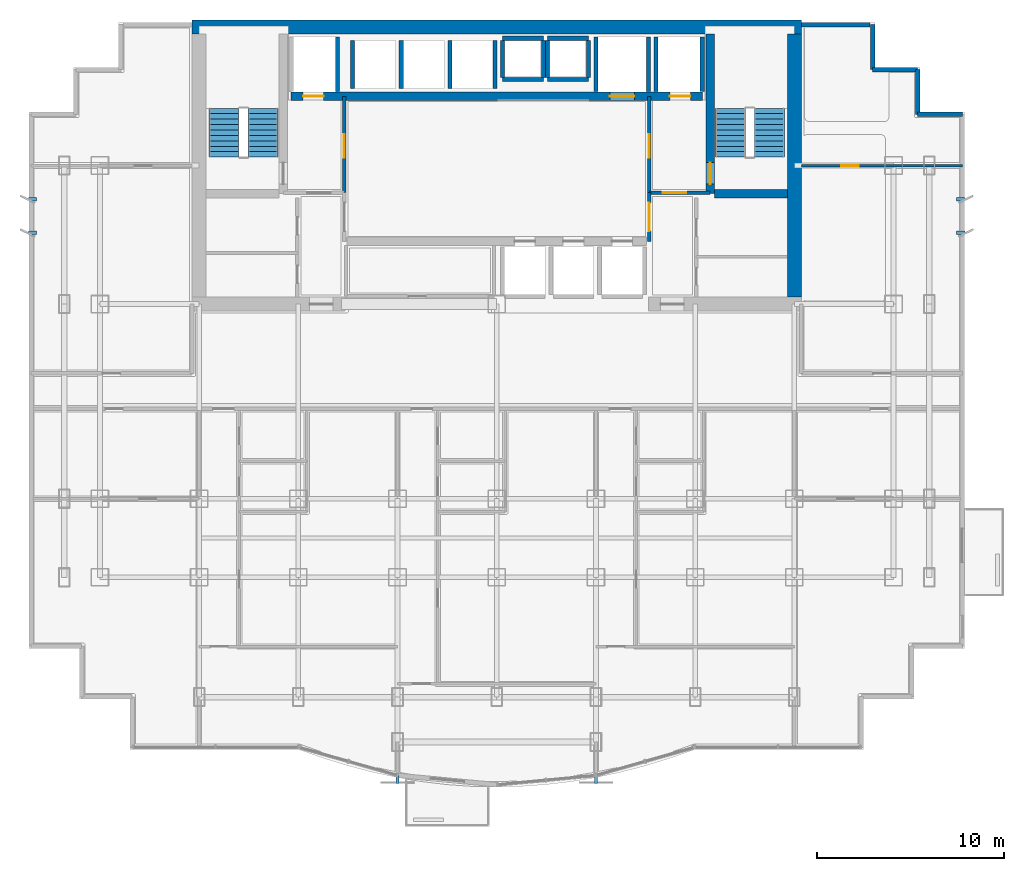
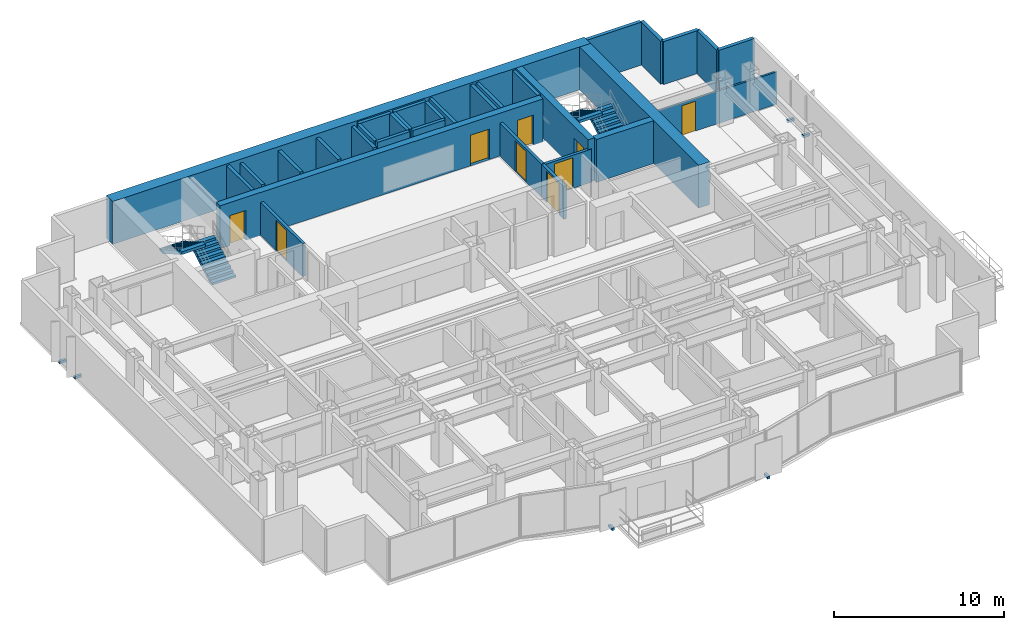
# One storey, part 7 of 9: 32 walls, 9 doors, 6 discrete accessories, 4 stair flights, 9 openings, 2 elements without a shape of their own.
"""IFC4 building model written with IfcOpenShell, lengths in metres."""

from ifc_helpers import new_model, si_unit, direction, frame, frame_2d, origin, origin_2d, place, context, subcontext, project, spatial, polyline, rectangle, outline, extrude, source, transform, mapped, material, layer, layer_set, type_object, element, fill, aggregate, save


model = new_model("IFC4")

# Units and contexts
model_context = context("Model", 3, precision=1e-05, world=origin(), true_north=direction((0.0, 1.0)))
body_context = subcontext(model_context, "Body", "Model", "MODEL_VIEW")
ifc_project = project(units=[si_unit("LENGTHUNIT", "METRE"), si_unit("AREAUNIT", "SQUARE_METRE"), si_unit("VOLUMEUNIT", "CUBIC_METRE"), si_unit("PLANEANGLEUNIT", "RADIAN"), si_unit("MASSUNIT", "GRAM", prefix="KILO")], contexts=[model_context])

# Site, building, storey
site_placement = place(None, origin())
site = spatial("IfcSite", under=ifc_project, at=site_placement, CompositionType="ELEMENT")
building_placement = place(site_placement, origin())
building = spatial("IfcBuilding", under=site, at=building_placement, Name="Qianlan Lanfeng Residences", CompositionType="ELEMENT")
storey_placement = place(building_placement, frame((0.0, 0.0, 111.39990234375)))
storey = spatial("IfcBuildingStorey", under=building, at=storey_placement, Name="L30", CompositionType="ELEMENT", Elevation=111.39990234375)

# Wall, opening, door
ifc_material_1 = material(Name="Concrete C60", Category="concrete")
ifc_layer_1 = layer(ifc_material_1, 0.449951171875)
ifc_layer_set_1 = layer_set([ifc_layer_1], Name="Concrete C60")
wall_type_1 = type_object("IfcWallType", Name="CW-RC-450", PredefinedType="SHEAR", material=ifc_layer_set_1)
wall_1_placement = place(storey_placement, frame((37.89990234375, 31.10009765625, 0.0), z_axis=(0.0, 0.0, 1.0), x_axis=(0.0, 1.0, 0.0)))
wall_1 = element("IfcWall", 1, at=wall_1_placement, inside=storey, type_object=wall_type_1, Name="L30 Core Shear Wall ST2W", PredefinedType="SHEAR", context=body_context, shape_type="SweptSolid", body=[
    extrude(rectangle(XDim=8.52490234375, YDim=0.449951171875, at=frame_2d((4.262451171875, 0.0))), origin(), (0.0, 0.0, 1.0), 3.090087890625),
])
opening_1_placement = place(wall_1_placement, frame((0.510009765625, 0.0, 0.0)))
opening_1 = element("IfcOpeningElement", 2, at=opening_1_placement, cuts=wall_1, Name="Opening L30-D08", PredefinedType="OPENING", context=body_context, shape_type="SweptSolid", body=[
    extrude(rectangle(XDim=1.14990234375, YDim=2.199951171875, at=frame_2d((0.574951171875, 1.10009765625))), frame((0.0, 0.23486328125, 0.0), z_axis=(0.0, -1.0, 0.0), x_axis=(1.0, 0.0, 0.0)), (0.0, 0.0, 1.0), 0.469970703125),
])
ifc_material_2 = material(Name="Painted Galvanised Steel Fire Door", Category="steel")
door_type_1 = type_object("IfcDoorType", Name="DT-ST1", OperationType="NOTDEFINED", PredefinedType="DOOR", material=ifc_material_2)
door_1_placement = place(opening_1_placement, origin())
door_1 = element("IfcDoor", 3, at=door_1_placement, inside=storey, type_object=door_type_1, Name="L30 Exit Stair ST-2 Door L30-D08 (DT-ST1)", OperationType="SINGLE_SWING_RIGHT", OverallHeight=2.199951171875, OverallWidth=1.14990234375, PredefinedType="DOOR", context=body_context, shape_type="SweptSolid", body=[
    extrude(rectangle(XDim=1.14990234375, YDim=2.199951171875, at=frame_2d((0.574951171875, 1.10009765625))), frame((0.0, 0.02490234375, 0.0), z_axis=(0.0, -1.0, 0.0), x_axis=(1.0, 0.0, 0.0)), (0.0, 0.0, 1.0), 0.050048828125),
])
fill(opening_1, door_1)

# Wall
wall_2_placement = place(storey_placement, frame((38.125, 31.10009765625, 0.0), z_axis=(0.0, 0.0, 1.0), x_axis=(1.0, 0.0, 0.0)))
element("IfcWall", 4, at=wall_2_placement, inside=storey, type_object=wall_type_1, Name="L30 Core Shear Wall ST2S", PredefinedType="SHEAR", context=body_context, shape_type="SweptSolid", body=[
    extrude(rectangle(XDim=3.89990234375, YDim=0.449951171875, at=frame_2d((1.949951171875, 0.0))), origin(), (0.0, 0.0, 1.0), 3.090087890625),
])

# Wall, openings, doors
wall_3_placement = place(storey_placement, frame((15.5, 36.300048828125, 0.0), z_axis=(0.0, 0.0, 1.0), x_axis=(1.0, 0.0, 0.0)))
wall_3 = element("IfcWall", 5, at=wall_3_placement, inside=storey, type_object=wall_type_1, Name="L30 Core Shear Wall LBN", PredefinedType="SHEAR", context=body_context, shape_type="SweptSolid", body=[
    extrude(rectangle(XDim=22.0, YDim=0.449951171875, at=frame_2d((11.0, 0.0))), origin(), (0.0, 0.0, 1.0), 3.090087890625),
])
opening_2_placement = place(wall_3_placement, frame((0.64990234375, 0.0, 0.0)))
opening_2 = element("IfcOpeningElement", 6, at=opening_2_placement, cuts=wall_3, Name="Opening L30-LD-FFL-1", PredefinedType="OPENING", context=body_context, shape_type="SweptSolid", body=[
    extrude(rectangle(XDim=1.10009765625, YDim=2.14990234375, at=frame_2d((0.550048828125, 1.074951171875))), frame((0.0, 0.23486328125, 0.0), z_axis=(0.0, -1.0, 0.0), x_axis=(1.0, 0.0, 0.0)), (0.0, 0.0, 1.0), 0.469970703125),
])
opening_3_placement = place(wall_3_placement, frame((20.25, 0.0, 0.0)))
opening_3 = element("IfcOpeningElement", 7, at=opening_3_placement, cuts=wall_3, Name="Opening L30-LD-FFL-2", PredefinedType="OPENING", context=body_context, shape_type="SweptSolid", body=[
    extrude(rectangle(XDim=1.10009765625, YDim=2.14990234375, at=frame_2d((0.550048828125, 1.074951171875))), frame((0.0, 0.23486328125, 0.0), z_axis=(0.0, -1.0, 0.0), x_axis=(1.0, 0.0, 0.0)), (0.0, 0.0, 1.0), 0.469970703125),
])
opening_4_placement = place(wall_3_placement, frame((17.050048828125, 0.0, 0.0)))
opening_4 = element("IfcOpeningElement", 8, at=opening_4_placement, cuts=wall_3, Name="Opening L30-LD-SVL-1", PredefinedType="OPENING", context=body_context, shape_type="SweptSolid", body=[
    extrude(rectangle(XDim=1.300048828125, YDim=2.199951171875, at=frame_2d((0.64990234375, 1.10009765625))), frame((0.0, 0.23486328125, 0.0), z_axis=(0.0, -1.0, 0.0), x_axis=(1.0, 0.0, 0.0)), (0.0, 0.0, 1.0), 0.469970703125),
])
ifc_material_3 = material(Name="Brushed Stainless Steel Sliding Lift Door", Category="steel")
door_type_2 = type_object("IfcDoorType", Name="LD-01", OperationType="NOTDEFINED", PredefinedType="DOOR", material=ifc_material_3)
door_2_placement = place(opening_2_placement, frame((1.10009765625, 0.0, 0.0), z_axis=(0.0, 0.0, 1.0), x_axis=(-1.0, 0.0, 0.0)))
door_2 = element("IfcDoor", 9, at=door_2_placement, inside=storey, type_object=door_type_2, Name="L30 Elevator FFL-1 Sliding Landing Door", OperationType="DOUBLE_DOOR_SLIDING", OverallHeight=2.14990234375, OverallWidth=1.10009765625, PredefinedType="DOOR", context=body_context, shape_type="SweptSolid", body=[
    extrude(rectangle(XDim=1.10009765625, YDim=2.14990234375, at=frame_2d((0.550048828125, 1.074951171875))), frame((0.0, 0.02490234375, 0.0), z_axis=(0.0, -1.0, 0.0), x_axis=(1.0, 0.0, 0.0)), (0.0, 0.0, 1.0), 0.050048828125),
])
fill(opening_2, door_2)
door_3_placement = place(opening_3_placement, frame((1.10009765625, 0.0, 0.0), z_axis=(0.0, 0.0, 1.0), x_axis=(-1.0, 0.0, 0.0)))
door_3 = element("IfcDoor", 10, at=door_3_placement, inside=storey, type_object=door_type_2, Name="L30 Elevator FFL-2 Sliding Landing Door", OperationType="DOUBLE_DOOR_SLIDING", OverallHeight=2.14990234375, OverallWidth=1.10009765625, PredefinedType="DOOR", context=body_context, shape_type="SweptSolid", body=[
    extrude(rectangle(XDim=1.10009765625, YDim=2.14990234375, at=frame_2d((0.550048828125, 1.074951171875))), frame((0.0, 0.02490234375, 0.0), z_axis=(0.0, -1.0, 0.0), x_axis=(1.0, 0.0, 0.0)), (0.0, 0.0, 1.0), 0.050048828125),
])
fill(opening_3, door_3)
door_type_3 = type_object("IfcDoorType", Name="LD-02", OperationType="NOTDEFINED", PredefinedType="DOOR", material=ifc_material_3)
door_4_placement = place(opening_4_placement, frame((1.300048828125, 0.0, 0.0), z_axis=(0.0, 0.0, 1.0), x_axis=(-1.0, 0.0, 0.0)))
door_4 = element("IfcDoor", 11, at=door_4_placement, inside=storey, type_object=door_type_3, Name="L30 Elevator SVL-1 Sliding Landing Door", OperationType="DOUBLE_DOOR_SLIDING", OverallHeight=2.199951171875, OverallWidth=1.300048828125, PredefinedType="DOOR", context=body_context, shape_type="SweptSolid", body=[
    extrude(rectangle(XDim=1.300048828125, YDim=2.199951171875, at=frame_2d((0.64990234375, 1.10009765625))), frame((0.0, 0.02490234375, 0.0), z_axis=(0.0, -1.0, 0.0), x_axis=(1.0, 0.0, 0.0)), (0.0, 0.0, 1.0), 0.050048828125),
])
fill(opening_4, door_4)

# Walls
ifc_layer_2 = layer(ifc_material_1, 0.75)
ifc_layer_set_2 = layer_set([ifc_layer_2], Name="Concrete C60")
wall_type_2 = type_object("IfcWallType", Name="CW-RC-750", PredefinedType="SHEAR", material=ifc_layer_set_2)
wall_4_placement = place(storey_placement, frame((10.22509765625, 40.0, 0.0), z_axis=(0.0, 0.0, 1.0), x_axis=(1.0, 0.0, 0.0)))
element("IfcWall", 12, at=wall_4_placement, inside=storey, type_object=wall_type_2, Name="L30 Core Shear Wall N", PredefinedType="SHEAR", context=body_context, shape_type="SweptSolid", body=[
    extrude(rectangle(XDim=32.5498046875, YDim=0.75, at=frame_2d((16.27490234375, 0.0))), origin(), (0.0, 0.0, 1.0), 3.090087890625),
])
wall_5_placement = place(storey_placement, frame((42.39990234375, 25.574951171875, 0.0), z_axis=(0.0, 0.0, 1.0), x_axis=(0.0, 1.0, 0.0)))
element("IfcWall", 13, at=wall_5_placement, inside=storey, type_object=wall_type_2, Name="L30 Core Shear Wall E", PredefinedType="SHEAR", context=body_context, shape_type="SweptSolid", body=[
    extrude(rectangle(XDim=14.050048828125, YDim=0.75, at=frame_2d((7.02490234375, 0.0))), origin(), (0.0, 0.0, 1.0), 3.090087890625),
])
ifc_material_4 = material(Name="Concrete C42", Category="concrete")
ifc_layer_3 = layer(ifc_material_4, 0.239990234375)
ifc_layer_set_3 = layer_set([ifc_layer_3], Name="Concrete C42")
wall_type_3 = type_object("IfcWallType", Name="EW-240", PredefinedType="SOLIDWALL", material=ifc_layer_set_3)
for number, where, z_axis, x_axis, name in (
    (14, (51.3798828125, 35.330078125, 0.0), (0.0, 0.0, 1.0), (-1.0, 0.0, 0.0), "L30 Exterior Facade Spandrel Wall 11"),
    (15, (48.97998046875, 35.330078125, 0.0), (0.0, 0.0, 1.0), (0.0, 1.0, 0.0), "L30 Exterior Facade Spandrel Wall 12"),
    (16, (48.97998046875, 37.72998046875, 0.0), (0.0, 0.0, 1.0), (-1.0, 0.0, 0.0), "L30 Exterior Facade Spandrel Wall 13"),
    (17, (46.580078125, 37.72998046875, 0.0), (0.0, 0.0, 1.0), (0.0, 1.0, 0.0), "L30 Exterior Facade Spandrel Wall 14"),
):
    element("IfcWall", number, at=place(storey_placement, frame(where, z_axis=z_axis, x_axis=x_axis)), inside=storey, type_object=wall_type_3, Name=name, PredefinedType="SOLIDWALL", context=body_context, shape_type="SweptSolid", body=[
        extrude(rectangle(XDim=2.39990234375, YDim=0.239990234375, at=frame_2d((1.199951171875, 0.0))), origin(), (0.0, 0.0, 1.0), 3.090087890625),
    ])
wall_6_placement = place(storey_placement, frame((46.449951171875, 40.1298828125, 0.0), z_axis=(0.0, 0.0, 1.0), x_axis=(-1.0, 0.0, 0.0)))
element("IfcWall", 18, at=wall_6_placement, inside=storey, type_object=wall_type_3, Name="L30 North Wing Exterior Wall E", PredefinedType="SOLIDWALL", context=body_context, shape_type="SweptSolid", body=[
    extrude(rectangle(XDim=3.675048828125, YDim=0.239990234375, at=frame_2d((1.83740234375, 0.0))), origin(), (0.0, 0.0, 1.0), 3.090087890625),
])

# Wall, opening, door
ifc_material_5 = material(Name="Moisture-Resistant Gypsum Partition 135 mm")
ifc_layer_4 = layer(ifc_material_5, 0.135009765625)
ifc_layer_set_4 = layer_set([ifc_layer_4], Name="Moisture-Resistant Gypsum Partition 135 mm")
wall_type_4 = type_object("IfcWallType", Name="PW-135", PredefinedType="PARTITIONING", material=ifc_layer_set_4)
wall_7_placement = place(storey_placement, frame((42.77490234375, 32.60009765625, 0.0), z_axis=(0.0, 0.0, 1.0), x_axis=(1.0, 0.0, 0.0)))
wall_7 = element("IfcWall", 19, at=wall_7_placement, inside=storey, type_object=wall_type_4, Name="L30 EW North Wing Wall", PredefinedType="PARTITIONING", context=body_context, shape_type="SweptSolid", body=[
    extrude(rectangle(XDim=8.60498046875, YDim=0.135009765625, at=frame_2d((4.302490234375, 0.0))), origin(), (0.0, 0.0, 1.0), 2.335205078125),
])
opening_5_placement = place(wall_7_placement, frame((2.14306640625, 0.0, 0.0)))
opening_5 = element("IfcOpeningElement", 20, at=opening_5_placement, cuts=wall_7, Name="Opening L30-D37", PredefinedType="OPENING", context=body_context, shape_type="SweptSolid", body=[
    extrude(rectangle(XDim=0.919921875, YDim=2.14990234375, at=frame_2d((0.4599609375, 1.074951171875))), frame((0.0, 0.07763671875, 0.0), z_axis=(0.0, -1.0, 0.0), x_axis=(1.0, 0.0, 0.0)), (0.0, 0.0, 1.0), 0.155029296875),
])
ifc_material_6 = material(Name="Glazed Timber Kitchen/Study Door", Category="wood")
door_type_4 = type_object("IfcDoorType", Name="DT-INT", OperationType="NOTDEFINED", PredefinedType="DOOR", material=ifc_material_6)
door_5_placement = place(opening_5_placement, origin())
door_5 = element("IfcDoor", 21, at=door_5_placement, inside=storey, type_object=door_type_4, Name="L30 EW Inner Salon Door L30-D37 (DT-INT)", OperationType="SINGLE_SWING_RIGHT", OverallHeight=2.14990234375, OverallWidth=0.919921875, PredefinedType="DOOR", context=body_context, shape_type="SweptSolid", body=[
    extrude(rectangle(XDim=0.919921875, YDim=2.14990234375, at=frame_2d((0.4599609375, 1.074951171875))), frame((0.0, 0.02490234375, 0.0), z_axis=(0.0, -1.0, 0.0), x_axis=(1.0, 0.0, 0.0)), (0.0, 0.0, 1.0), 0.050048828125),
])
fill(opening_5, door_5)

ifc_material_7 = material(Name="Autoclaved Aerated Concrete Blockwork 200 mm", Category="masonry")
ifc_layer_5 = layer(ifc_material_7, 0.199951171875)
ifc_layer_set_5 = layer_set([ifc_layer_5], Name="Autoclaved Aerated Concrete Blockwork 200 mm")
wall_type_5 = type_object("IfcWallType", Name="PW-200", PredefinedType="PARTITIONING", material=ifc_layer_set_5)
wall_8_placement = place(storey_placement, frame((18.35009765625, 31.14990234375, 0.0), z_axis=(0.0, 0.0, 1.0), x_axis=(0.0, 1.0, 0.0)))
wall_8 = element("IfcWall", 22, at=wall_8_placement, inside=storey, type_object=wall_type_5, Name="L30 Firefighting Lobby 1 East Wall", PredefinedType="PARTITIONING", context=body_context, shape_type="SweptSolid", body=[
    extrude(rectangle(XDim=5.150146484375, YDim=0.199951171875, at=frame_2d((2.5751953125, 0.0))), origin(), (0.0, 0.0, 1.0), 2.380126953125),
])
opening_6_placement = place(wall_8_placement, frame((1.875, 0.0, 0.0)))
opening_6 = element("IfcOpeningElement", 23, at=opening_6_placement, cuts=wall_8, Name="Opening L30-D04", PredefinedType="OPENING", context=body_context, shape_type="SweptSolid", body=[
    extrude(rectangle(XDim=1.25, YDim=2.199951171875, at=frame_2d((0.625, 1.10009765625))), frame((0.0, 0.10986328125, 0.0), z_axis=(0.0, -1.0, 0.0), x_axis=(1.0, 0.0, 0.0)), (0.0, 0.0, 1.0), 0.219970703125),
])
door_type_5 = type_object("IfcDoorType", Name="DT-FFL", OperationType="NOTDEFINED", PredefinedType="DOOR", material=ifc_material_2)
door_6_placement = place(opening_6_placement, origin())
door_6 = element("IfcDoor", 24, at=door_6_placement, inside=storey, type_object=door_type_5, Name="L30 Firefighting Lobby 1 Lift Lobby Door L30-D04 (DT-FFL)", OperationType="SINGLE_SWING_LEFT", OverallHeight=2.199951171875, OverallWidth=1.25, PredefinedType="DOOR", context=body_context, shape_type="SweptSolid", body=[
    extrude(rectangle(XDim=1.25, YDim=2.199951171875, at=frame_2d((0.625, 1.10009765625))), frame((0.0, 0.02490234375, 0.0), z_axis=(0.0, -1.0, 0.0), x_axis=(1.0, 0.0, 0.0)), (0.0, 0.0, 1.0), 0.050048828125),
])
fill(opening_6, door_6)

wall_9_placement = place(storey_placement, frame((34.64990234375, 31.14990234375, 0.0), z_axis=(0.0, 0.0, 1.0), x_axis=(1.0, 0.0, 0.0)))
wall_9 = element("IfcWall", 25, at=wall_9_placement, inside=storey, type_object=wall_type_5, Name="L30 Firefighting Lobby 2 South Wall", PredefinedType="PARTITIONING", context=body_context, shape_type="SweptSolid", body=[
    extrude(rectangle(XDim=3.25, YDim=0.199951171875, at=frame_2d((1.625, 0.0))), origin(), (0.0, 0.0, 1.0), 2.380126953125),
])
opening_7_placement = place(wall_9_placement, frame((0.72509765625, 0.0, 0.0)))
opening_7 = element("IfcOpeningElement", 26, at=opening_7_placement, cuts=wall_9, Name="Opening L30-D05", PredefinedType="OPENING", context=body_context, shape_type="SweptSolid", body=[
    extrude(rectangle(XDim=1.25, YDim=2.199951171875, at=frame_2d((0.625, 1.10009765625))), frame((0.0, 0.10986328125, 0.0), z_axis=(0.0, -1.0, 0.0), x_axis=(1.0, 0.0, 0.0)), (0.0, 0.0, 1.0), 0.219970703125),
])
door_7_placement = place(opening_7_placement, origin())
door_7 = element("IfcDoor", 27, at=door_7_placement, inside=storey, type_object=door_type_5, Name="L30 Firefighting Lobby 2 Entry Door L30-D05 (DT-FFL)", OperationType="SINGLE_SWING_RIGHT", OverallHeight=2.199951171875, OverallWidth=1.25, PredefinedType="DOOR", context=body_context, shape_type="SweptSolid", body=[
    extrude(rectangle(XDim=1.25, YDim=2.199951171875, at=frame_2d((0.625, 1.10009765625))), frame((0.0, 0.02490234375, 0.0), z_axis=(0.0, -1.0, 0.0), x_axis=(1.0, 0.0, 0.0)), (0.0, 0.0, 1.0), 0.050048828125),
])
fill(opening_7, door_7)

wall_10_placement = place(storey_placement, frame((34.64990234375, 31.14990234375, 0.0), z_axis=(0.0, 0.0, 1.0), x_axis=(0.0, 1.0, 0.0)))
wall_10 = element("IfcWall", 28, at=wall_10_placement, inside=storey, type_object=wall_type_5, Name="L30 Firefighting Lobby 2 West Wall", PredefinedType="PARTITIONING", context=body_context, shape_type="SweptSolid", body=[
    extrude(rectangle(XDim=5.150146484375, YDim=0.199951171875, at=frame_2d((2.5751953125, 0.0))), origin(), (0.0, 0.0, 1.0), 2.380126953125),
])
opening_8_placement = place(wall_10_placement, frame((1.875, 0.0, 0.0)))
opening_8 = element("IfcOpeningElement", 29, at=opening_8_placement, cuts=wall_10, Name="Opening L30-D06", PredefinedType="OPENING", context=body_context, shape_type="SweptSolid", body=[
    extrude(rectangle(XDim=1.25, YDim=2.199951171875, at=frame_2d((0.625, 1.10009765625))), frame((0.0, 0.10986328125, 0.0), z_axis=(0.0, -1.0, 0.0), x_axis=(1.0, 0.0, 0.0)), (0.0, 0.0, 1.0), 0.219970703125),
])
door_8_placement = place(opening_8_placement, origin())
door_8 = element("IfcDoor", 30, at=door_8_placement, inside=storey, type_object=door_type_5, Name="L30 Firefighting Lobby 2 Lift Lobby Door L30-D06 (DT-FFL)", OperationType="SINGLE_SWING_LEFT", OverallHeight=2.199951171875, OverallWidth=1.25, PredefinedType="DOOR", context=body_context, shape_type="SweptSolid", body=[
    extrude(rectangle(XDim=1.25, YDim=2.199951171875, at=frame_2d((0.625, 1.10009765625))), frame((0.0, 0.02490234375, 0.0), z_axis=(0.0, -1.0, 0.0), x_axis=(1.0, 0.0, 0.0)), (0.0, 0.0, 1.0), 0.050048828125),
])
fill(opening_8, door_8)

wall_11_placement = place(storey_placement, frame((34.64990234375, 28.550048828125, 0.0), z_axis=(0.0, 0.0, 1.0), x_axis=(0.0, 1.0, 0.0)))
wall_11 = element("IfcWall", 31, at=wall_11_placement, inside=storey, type_object=wall_type_5, Name="L30 Lift Lobby East Connector Wall", PredefinedType="PARTITIONING", context=body_context, shape_type="SweptSolid", body=[
    extrude(rectangle(XDim=2.599853515625, YDim=0.199951171875, at=frame_2d((1.2998046875, 0.0))), origin(), (0.0, 0.0, 1.0), 2.380126953125),
])
opening_9_placement = place(wall_11_placement, frame((0.550048828125, 0.0, 0.0)))
opening_9 = element("IfcOpeningElement", 32, at=opening_9_placement, cuts=wall_11, Name="Opening L30-D14", PredefinedType="OPENING", context=body_context, shape_type="SweptSolid", body=[
    extrude(rectangle(XDim=1.5, YDim=2.25, at=frame_2d((0.75, 1.125))), frame((0.0, 0.10986328125, 0.0), z_axis=(0.0, -1.0, 0.0), x_axis=(1.0, 0.0, 0.0)), (0.0, 0.0, 1.0), 0.219970703125),
])
ifc_material_8 = material(Name="Timber Veneer Acoustic Fire Door", Category="wood")
door_type_6 = type_object("IfcDoorType", Name="DT-COR1", OperationType="NOTDEFINED", PredefinedType="DOOR", material=ifc_material_8)
door_9_placement = place(opening_9_placement, frame((1.5, 0.0, 0.0), z_axis=(0.0, 0.0, 1.0), x_axis=(-1.0, 0.0, 0.0)))
door_9 = element("IfcDoor", 33, at=door_9_placement, inside=storey, type_object=door_type_6, Name="L30 Lift Lobby East Portal Door L30-D14 (DT-COR1)", OperationType="DOUBLE_DOOR_SINGLE_SWING", OverallHeight=2.25, OverallWidth=1.5, PredefinedType="DOOR", context=body_context, shape_type="SweptSolid", body=[
    extrude(rectangle(XDim=1.5, YDim=2.25, at=frame_2d((0.75, 1.125))), frame((0.0, 0.02490234375, 0.0), z_axis=(0.0, -1.0, 0.0), x_axis=(1.0, 0.0, 0.0)), (0.0, 0.0, 1.0), 0.050048828125),
])
fill(opening_9, door_9)

# Walls
ifc_material_9 = material(Name="Concrete C49", Category="concrete")
ifc_layer_6 = layer(ifc_material_9, 0.219970703125)
ifc_layer_set_6 = layer_set([ifc_layer_6], Name="Concrete C49")
wall_type_6 = type_object("IfcWallType", Name="SHW-220", PredefinedType="SOLIDWALL", material=ifc_layer_set_6)
for number, where, z_axis, x_axis, name in (
    (34, (18.0, 36.550048828125, 0.0), (0.0, 0.0, 1.0), (0.0, 1.0, 0.0), "L30 Lift FFL-1 Shaft Wall E"),
    (35, (35.0, 36.550048828125, 0.0), (0.0, 0.0, 1.0), (0.0, 1.0, 0.0), "L30 Lift FFL-2 Shaft Wall W"),
    (36, (37.47998046875, 36.550048828125, 0.0), (0.0, 0.0, 1.0), (0.0, 1.0, 0.0), "L30 Lift FFL-2 Shaft Wall E"),
    (37, (31.800048828125, 36.550048828125, 0.0), (0.0, 0.0, 1.0), (0.0, 1.0, 0.0), "L30 Lift SVL-1 Shaft Wall W"),
    (38, (34.60009765625, 36.550048828125, 0.0), (0.0, 0.0, 1.0), (0.0, 1.0, 0.0), "L30 Lift SVL-1 Shaft Wall E"),
):
    element("IfcWall", number, at=place(storey_placement, frame(where, z_axis=z_axis, x_axis=x_axis)), inside=storey, type_object=wall_type_6, Name=name, PredefinedType="SOLIDWALL", context=body_context, shape_type="SweptSolid", body=[
        extrude(rectangle(XDim=2.929931640625, YDim=0.219970703125, at=frame_2d((1.46484375, 0.0))), origin(), (0.0, 0.0, 1.0), 3.090087890625),
    ])
for number, where, z_axis, x_axis, name in (
    (39, (18.800048828125, 36.719970703125, 0.0), (0.0, 0.0, 1.0), (0.0, 1.0, 0.0), "L30 Lift PL-H1 Shaft Wall W"),
    (40, (21.39990234375, 36.719970703125, 0.0), (0.0, 0.0, 1.0), (0.0, 1.0, 0.0), "L30 Lift PL-H2 Shaft Wall W"),
    (41, (24.0, 36.719970703125, 0.0), (0.0, 0.0, 1.0), (0.0, 1.0, 0.0), "L30 Lift PL-H3 Shaft Wall W"),
    (42, (26.39990234375, 36.719970703125, 0.0), (0.0, 0.0, 1.0), (0.0, 1.0, 0.0), "L30 Lift PL-H3 Shaft Wall E"),
):
    element("IfcWall", number, at=place(storey_placement, frame(where, z_axis=z_axis, x_axis=x_axis)), inside=storey, type_object=wall_type_6, Name=name, PredefinedType="SOLIDWALL", context=body_context, shape_type="SweptSolid", body=[
        extrude(rectangle(XDim=2.56005859375, YDim=0.219970703125, at=frame_2d((1.280029296875, 0.0))), origin(), (0.0, 0.0, 1.0), 3.090087890625),
    ])
for number, where, z_axis, x_axis, name in (
    (43, (26.800048828125, 37.31005859375, 0.0), (0.0, 0.0, 1.0), (0.0, 1.0, 0.0), "L30 MEP Riser MEP-R1 Shaft Wall W"),
    (44, (29.0, 37.31005859375, 0.0), (0.0, 0.0, 1.0), (0.0, 1.0, 0.0), "L30 MEP Riser MEP-R1 Shaft Wall E"),
):
    element("IfcWall", number, at=place(storey_placement, frame(where, z_axis=z_axis, x_axis=x_axis)), inside=storey, type_object=wall_type_6, Name=name, PredefinedType="SOLIDWALL", context=body_context, shape_type="SweptSolid", body=[
        extrude(rectangle(XDim=1.97998046875, YDim=0.219970703125, at=frame_2d((0.989990234375, 0.0))), origin(), (0.0, 0.0, 1.0), 3.090087890625),
    ])
for number, where, z_axis, x_axis, name in (
    (45, (26.800048828125, 39.39990234375, 0.0), (0.0, 0.0, 1.0), (1.0, 0.0, 0.0), "L30 MEP Riser MEP-R1 Shaft Wall N"),
    (46, (26.800048828125, 37.199951171875, 0.0), (0.0, 0.0, 1.0), (1.0, 0.0, 0.0), "L30 MEP Riser MEP-R1 Shaft Wall S"),
):
    element("IfcWall", number, at=place(storey_placement, frame(where, z_axis=z_axis, x_axis=x_axis)), inside=storey, type_object=wall_type_6, Name=name, PredefinedType="SOLIDWALL", context=body_context, shape_type="SweptSolid", body=[
        extrude(rectangle(XDim=2.199951171875, YDim=0.219970703125, at=frame_2d((1.10009765625, 0.0))), origin(), (0.0, 0.0, 1.0), 3.090087890625),
    ])
for number, where, z_axis, x_axis, name in (
    (47, (29.199951171875, 37.31005859375, 0.0), (0.0, 0.0, 1.0), (0.0, 1.0, 0.0), "L30 MEP Riser MEP-R2 Shaft Wall W"),
    (48, (31.39990234375, 37.31005859375, 0.0), (0.0, 0.0, 1.0), (0.0, 1.0, 0.0), "L30 MEP Riser MEP-R2 Shaft Wall E"),
):
    element("IfcWall", number, at=place(storey_placement, frame(where, z_axis=z_axis, x_axis=x_axis)), inside=storey, type_object=wall_type_6, Name=name, PredefinedType="SOLIDWALL", context=body_context, shape_type="SweptSolid", body=[
        extrude(rectangle(XDim=1.97998046875, YDim=0.219970703125, at=frame_2d((0.989990234375, 0.0))), origin(), (0.0, 0.0, 1.0), 3.090087890625),
    ])
for number, where, z_axis, x_axis, name in (
    (49, (29.199951171875, 39.39990234375, 0.0), (0.0, 0.0, 1.0), (1.0, 0.0, 0.0), "L30 MEP Riser MEP-R2 Shaft Wall N"),
    (50, (29.199951171875, 37.199951171875, 0.0), (0.0, 0.0, 1.0), (1.0, 0.0, 0.0), "L30 MEP Riser MEP-R2 Shaft Wall S"),
):
    element("IfcWall", number, at=place(storey_placement, frame(where, z_axis=z_axis, x_axis=x_axis)), inside=storey, type_object=wall_type_6, Name=name, PredefinedType="SOLIDWALL", context=body_context, shape_type="SweptSolid", body=[
        extrude(rectangle(XDim=2.199951171875, YDim=0.219970703125, at=frame_2d((1.10009765625, 0.0))), origin(), (0.0, 0.0, 1.0), 3.090087890625),
    ])

# Stair, stair flights
stair_type = type_object("IfcStairType", Name="STR-MAIN", PredefinedType="HALF_TURN_STAIR", material=ifc_material_4)
stair_1_placement = place(storey_placement, origin())
stair_1 = element("IfcStair", 51, at=stair_1_placement, inside=storey, type_object=stair_type, Name="L30 Exit Stair ST-1", PredefinedType="HALF_TURN_STAIR")
stair_flight_type = type_object("IfcStairFlightType", Name="FLT-1720", PredefinedType="STRAIGHT", material=ifc_material_4)
stair_flight_1_placement = place(storey_placement, frame((14.02001953125, 33.050048828125, 0.0), z_axis=(0.0, 0.0, 1.0), x_axis=(0.0, 1.0, 0.0)))
stair_flight_1 = element("IfcStairFlight", 52, at=stair_flight_1_placement, type_object=stair_flight_type, Name="ST-1 flight 1", NumberOfRisers=10, NumberOfTreads=9, PredefinedType="STRAIGHT", RiserHeight=0.165, TreadLength=0.29, context=body_context, shape_type="SweptSolid", body=[
    extrude(outline(polyline([(0.0, 0.0), (0.0, 0.1650390625), (0.2900390625, 0.1650390625), (0.2900390625, 0.330078125), (0.580078125, 0.330078125), (0.580078125, 0.4951171875), (0.8701171875, 0.4951171875), (0.8701171875, 0.659912109375), (1.159912109375, 0.659912109375), (1.159912109375, 0.824951171875), (1.449951171875, 0.824951171875), (1.449951171875, 0.989990234375), (1.739990234375, 0.989990234375), (1.739990234375, 1.155029296875), (2.030029296875, 1.155029296875), (2.030029296875, 1.320068359375), (2.320068359375, 1.320068359375), (2.320068359375, 1.485107421875), (2.610107421875, 1.485107421875), (2.610107421875, 1.64990234375), (2.610107421875, 1.278076171875), (0.36376953125, 0.0), (0.0, 0.0)])), frame((0.0, 0.800048828125, 0.0), z_axis=(0.0, -1.0, 0.0), x_axis=(1.0, 0.0, 0.0)), (0.0, 0.0, 1.0), 1.60009765625),
])
stair_flight_2_placement = place(storey_placement, frame((11.93994140625, 35.659912109375, 1.650146484375), z_axis=(0.0, 0.0, 1.0), x_axis=(0.0, -1.0, 0.0)))
stair_flight_2 = element("IfcStairFlight", 53, at=stair_flight_2_placement, type_object=stair_flight_type, Name="ST-1 flight 2", NumberOfRisers=10, NumberOfTreads=9, PredefinedType="STRAIGHT", RiserHeight=0.165, TreadLength=0.29, context=body_context, shape_type="SweptSolid", body=[
    extrude(outline(polyline([(0.0, 0.0), (0.0, 0.1650390625), (0.2900390625, 0.1650390625), (0.2900390625, 0.330078125), (0.580078125, 0.330078125), (0.580078125, 0.4951171875), (0.8701171875, 0.4951171875), (0.8701171875, 0.659912109375), (1.159912109375, 0.659912109375), (1.159912109375, 0.824951171875), (1.449951171875, 0.824951171875), (1.449951171875, 0.989990234375), (1.739990234375, 0.989990234375), (1.739990234375, 1.155029296875), (2.030029296875, 1.155029296875), (2.030029296875, 1.320068359375), (2.320068359375, 1.320068359375), (2.320068359375, 1.485107421875), (2.610107421875, 1.485107421875), (2.610107421875, 1.64990234375), (2.610107421875, 1.278076171875), (0.36376953125, 0.0), (0.0, 0.0)])), frame((0.0, 0.800048828125, 0.0), z_axis=(0.0, -1.0, 0.0), x_axis=(1.0, 0.0, 0.0)), (0.0, 0.0, 1.0), 1.60009765625),
])
aggregate(stair_1, [stair_flight_1, stair_flight_2])

stair_2_placement = place(storey_placement, origin())
stair_2 = element("IfcStair", 54, at=stair_2_placement, inside=storey, type_object=stair_type, Name="L30 Exit Stair ST-2", PredefinedType="HALF_TURN_STAIR")
stair_flight_3_placement = place(storey_placement, frame((41.06005859375, 33.050048828125, 0.0), z_axis=(0.0, 0.0, 1.0), x_axis=(0.0, 1.0, 0.0)))
stair_flight_3 = element("IfcStairFlight", 55, at=stair_flight_3_placement, type_object=stair_flight_type, Name="ST-2 flight 1", NumberOfRisers=10, NumberOfTreads=9, PredefinedType="STRAIGHT", RiserHeight=0.165, TreadLength=0.29, context=body_context, shape_type="SweptSolid", body=[
    extrude(outline(polyline([(0.0, 0.0), (0.0, 0.1650390625), (0.2900390625, 0.1650390625), (0.2900390625, 0.330078125), (0.580078125, 0.330078125), (0.580078125, 0.4951171875), (0.8701171875, 0.4951171875), (0.8701171875, 0.659912109375), (1.159912109375, 0.659912109375), (1.159912109375, 0.824951171875), (1.449951171875, 0.824951171875), (1.449951171875, 0.989990234375), (1.739990234375, 0.989990234375), (1.739990234375, 1.155029296875), (2.030029296875, 1.155029296875), (2.030029296875, 1.320068359375), (2.320068359375, 1.320068359375), (2.320068359375, 1.485107421875), (2.610107421875, 1.485107421875), (2.610107421875, 1.64990234375), (2.610107421875, 1.278076171875), (0.36376953125, 0.0), (0.0, 0.0)])), frame((0.0, 0.800048828125, 0.0), z_axis=(0.0, -1.0, 0.0), x_axis=(1.0, 0.0, 0.0)), (0.0, 0.0, 1.0), 1.60009765625),
])
stair_flight_4_placement = place(storey_placement, frame((38.97998046875, 35.659912109375, 1.650146484375), z_axis=(0.0, 0.0, 1.0), x_axis=(0.0, -1.0, 0.0)))
stair_flight_4 = element("IfcStairFlight", 56, at=stair_flight_4_placement, type_object=stair_flight_type, Name="ST-2 flight 2", NumberOfRisers=10, NumberOfTreads=9, PredefinedType="STRAIGHT", RiserHeight=0.165, TreadLength=0.29, context=body_context, shape_type="SweptSolid", body=[
    extrude(outline(polyline([(0.0, 0.0), (0.0, 0.1650390625), (0.2900390625, 0.1650390625), (0.2900390625, 0.330078125), (0.580078125, 0.330078125), (0.580078125, 0.4951171875), (0.8701171875, 0.4951171875), (0.8701171875, 0.659912109375), (1.159912109375, 0.659912109375), (1.159912109375, 0.824951171875), (1.449951171875, 0.824951171875), (1.449951171875, 0.989990234375), (1.739990234375, 0.989990234375), (1.739990234375, 1.155029296875), (2.030029296875, 1.155029296875), (2.030029296875, 1.320068359375), (2.320068359375, 1.320068359375), (2.320068359375, 1.485107421875), (2.610107421875, 1.485107421875), (2.610107421875, 1.64990234375), (2.610107421875, 1.278076171875), (0.36376953125, 0.0), (0.0, 0.0)])), frame((0.0, 0.800048828125, 0.0), z_axis=(0.0, -1.0, 0.0), x_axis=(1.0, 0.0, 0.0)), (0.0, 0.0, 1.0), 1.60009765625),
])
aggregate(stair_2, [stair_flight_3, stair_flight_4])

# Discrete accessories
ifc_material_10 = material(Name="Stainless Steel Facade Bracket", Category="steel")
discrete_accessory_type = type_object("IfcDiscreteAccessoryType", Name="BRK-SS-350", PredefinedType="BRACKET", material=ifc_material_10)
shared_shape_1 = source(origin(), body_context, "Body", "SweptSolid", [
    extrude(rectangle(XDim=0.179931640625, YDim=0.449951171875, at=origin_2d()), origin(), (0.0, 0.0, 1.0), 0.179931640625),
])
for number, where, z_axis, x_axis, name in (
    (57, (21.199951171875, -0.199951171875, -0.14990234375), (0.0, 0.0, 1.0), (1.0, 0.0, 0.0), "L30 Solar Screen Support Bracket 1"),
    (58, (31.800048828125, -0.199951171875, -0.14990234375), (0.0, 0.0, 1.0), (1.0, 0.0, 0.0), "L30 Solar Screen Support Bracket 2"),
):
    element("IfcDiscreteAccessory", number, at=place(storey_placement, frame(where, z_axis=z_axis, x_axis=x_axis)), inside=storey, type_object=discrete_accessory_type, Name=name, PredefinedType="BRACKET", context=body_context, shape_type="MappedRepresentation", body=[
        mapped(shared_shape_1, transform((0.0, 0.0, 0.0), scale=1.0)),
    ])
shared_shape_2 = source(origin(), body_context, "Body", "SweptSolid", [
    extrude(rectangle(XDim=0.449951171875, YDim=0.179931640625, at=origin_2d()), origin(), (0.0, 0.0, 1.0), 0.179931640625),
])
for number, where, z_axis, x_axis, name in (
    (59, (1.699951171875, 29.0, -0.14990234375), (0.0, 0.0, 1.0), (1.0, 0.0, 0.0), "L30 Raked Solar Fin Support Bracket W1"),
    (60, (1.699951171875, 30.800048828125, -0.14990234375), (0.0, 0.0, 1.0), (1.0, 0.0, 0.0), "L30 Raked Solar Fin Support Bracket W2"),
    (61, (51.300048828125, 29.0, -0.14990234375), (0.0, 0.0, 1.0), (1.0, 0.0, 0.0), "L30 Raked Solar Fin Support Bracket E1"),
    (62, (51.300048828125, 30.800048828125, -0.14990234375), (0.0, 0.0, 1.0), (1.0, 0.0, 0.0), "L30 Raked Solar Fin Support Bracket E2"),
):
    element("IfcDiscreteAccessory", number, at=place(storey_placement, frame(where, z_axis=z_axis, x_axis=x_axis)), inside=storey, type_object=discrete_accessory_type, Name=name, PredefinedType="BRACKET", context=body_context, shape_type="MappedRepresentation", body=[
        mapped(shared_shape_2, transform((0.0, 0.0, 0.0), scale=1.0)),
    ])

save(model, "model.ifc")
